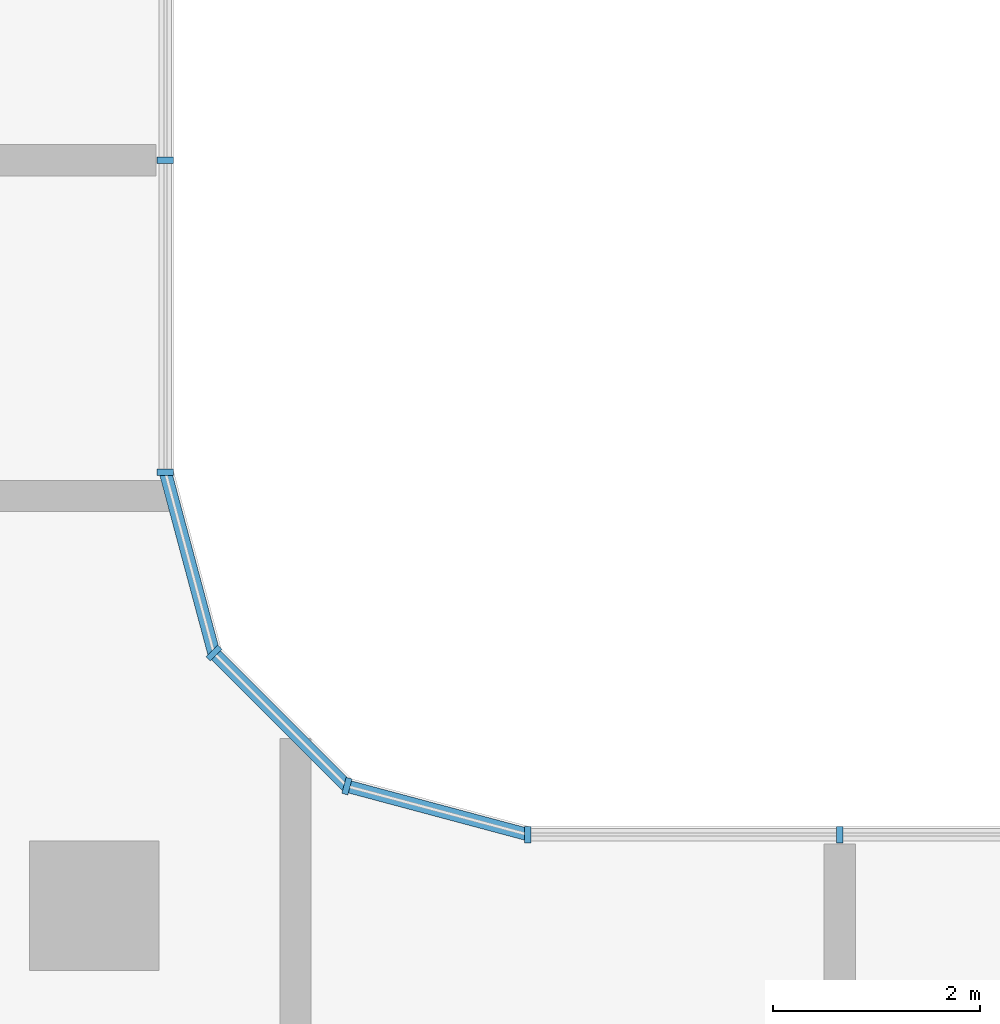
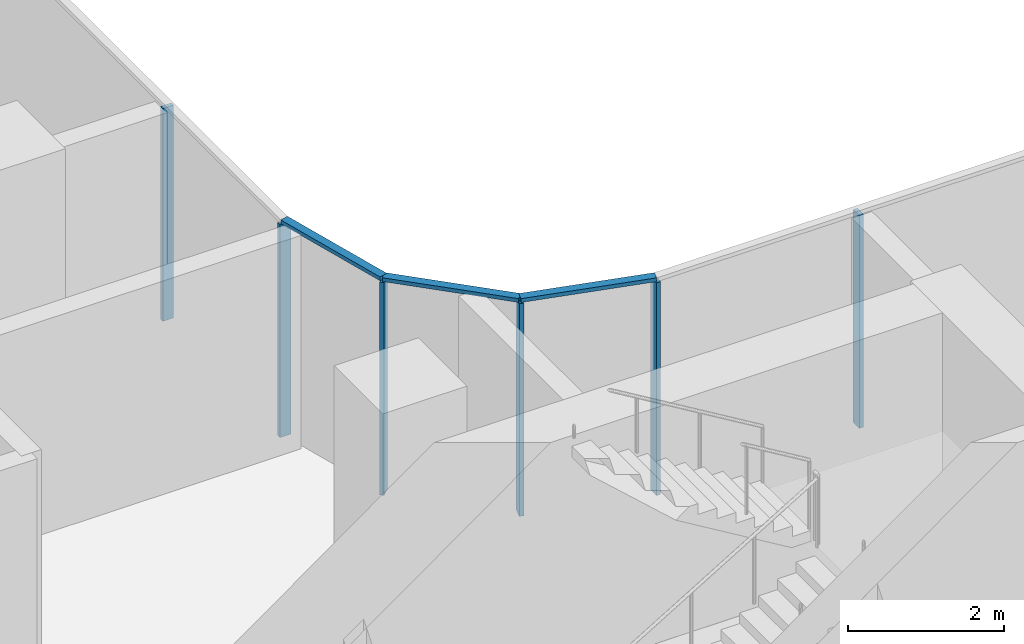
# One storey, part 2 of 23: 9 members, 3 elements without a shape of their own.
"""IFC4 building model written with IfcOpenShell, lengths in metres."""

import ifcopenshell
import ifcopenshell.guid

model = None  # the IFC model being written
_history = None  # IfcOwnerHistory: only IFC2X3 demands one
_inside = {}  # id of a spatial element -> (the spatial element, [elements in it])
_under = {}  # id of a project, library or spatial element -> (it, [spatial elements below it])
_declared = {}  # id of a project -> (the project, [libraries it declares])
_typed = {}  # id of a type object -> (the type object, [elements of that type])
_made_of = {}  # id of a material, layer set ... -> (it, [elements and type objects made of it])


def new_model(schema):
    """Start an empty IFC model of exactly this schema.

    Asked for "IFC4X3", IfcOpenShell would pick the latest addendum, in which some entities
    have other attributes; the version numbers below select the first issue.
    IFC2X3 requires an IfcOwnerHistory on every rooted entity: one is made here for all.
    """
    global model, _history
    if schema == "IFC4X3":
        model = ifcopenshell.file(schema_version=(4, 3, 0, 0))
    else:
        model = ifcopenshell.file(schema=schema)
    _inside.clear()
    _under.clear()
    _declared.clear()
    _typed.clear()
    _made_of.clear()
    _history = None
    if model.schema == "IFC2X3":
        org = make("IfcOrganization", Name="unknown")
        user = make(
            "IfcPersonAndOrganization",
            ThePerson=make("IfcPerson", FamilyName="unknown"),
            TheOrganization=org,
        )
        app = make(
            "IfcApplication",
            ApplicationDeveloper=org,
            Version="unknown",
            ApplicationFullName="unknown",
            ApplicationIdentifier="unknown",
        )
        _history = make(
            "IfcOwnerHistory",
            OwningUser=user,
            OwningApplication=app,
            ChangeAction="ADDED",
            CreationDate=0,
        )
    return model


def make(cls, **values):
    """One entity of the class cls with the attributes given. An attribute that is None is left unset."""
    return model.create_entity(
        cls, **{name: value for name, value in values.items() if value is not None}
    )


def rooted(cls, **values):
    """An entity with a GlobalId (a new one), such as an element, a storey or a relation."""
    return make(cls, GlobalId=ifcopenshell.guid.new(), OwnerHistory=_history, **values)


def si_unit(unit_type, name, prefix=None):
    """IfcSIUnit, for example si_unit("LENGTHUNIT", "METRE", prefix="MILLI")."""
    return make("IfcSIUnit", UnitType=unit_type, Prefix=prefix, Name=name)


def assignment(units):
    """IfcUnitAssignment: the units of a project."""
    return None if units is None else make("IfcUnitAssignment", Units=units)


def point(xyz):
    """IfcCartesianPoint."""
    return None if xyz is None else make("IfcCartesianPoint", Coordinates=xyz)


def direction(xyz):
    """IfcDirection."""
    return None if xyz is None else make("IfcDirection", DirectionRatios=xyz)


def frame(location, z_axis=None, x_axis=None):
    """IfcAxis2Placement3D, a coordinate frame: its origin and axes. An axis left out is left unset."""
    return make(
        "IfcAxis2Placement3D",
        Location=point(location),
        Axis=direction(z_axis),
        RefDirection=direction(x_axis),
    )


def frame_2d(location, x_axis=None):
    """IfcAxis2Placement2D, a coordinate frame in the plane: its origin and x axis."""
    return make(
        "IfcAxis2Placement2D", Location=point(location), RefDirection=direction(x_axis)
    )


def origin():
    """The frame at (0, 0, 0) with its axes left unset."""
    return frame((0.0, 0.0, 0.0))


def origin_2d():
    """The frame at (0, 0) in the plane with its x axis left unset."""
    return frame_2d((0.0, 0.0))


def place(relative_to, where):
    """IfcLocalPlacement: puts the frame where relative to a parent placement (None: the world)."""
    return make(
        "IfcLocalPlacement", PlacementRelTo=relative_to, RelativePlacement=where
    )


def context(
    kind, dimensions, precision=None, world=None, true_north=None, identifier=None
):
    """IfcGeometricRepresentationContext, for example the 3D "Model" context."""
    return make(
        "IfcGeometricRepresentationContext",
        ContextIdentifier=identifier,
        ContextType=kind,
        CoordinateSpaceDimension=dimensions,
        Precision=precision,
        WorldCoordinateSystem=world,
        TrueNorth=true_north,
    )


def subcontext(parent, identifier, kind, view, scale=None):
    """IfcGeometricRepresentationSubContext, for example "Body" below "Model"."""
    return make(
        "IfcGeometricRepresentationSubContext",
        ContextIdentifier=identifier,
        ContextType=kind,
        ParentContext=parent,
        TargetScale=scale,
        TargetView=view,
    )


def project(units=None, contexts=None):
    """IfcProject with its units and contexts."""
    return rooted(
        "IfcProject",
        Name="project",
        RepresentationContexts=contexts,
        UnitsInContext=assignment(units),
    )


def spatial(cls, under=None, at=None, **own):
    """A site, building, storey or space (cls), placed at a placement, below another one or the project."""
    s = rooted(cls, ObjectPlacement=at, **own)
    if under is not None:
        _under.setdefault(under.id(), (under, []))[1].append(s)
    return s


def profile(cls, at=None, kind="AREA", **sizes):
    """A parametric profile (cls). Its sizes go by their IFC names, for example OverallWidth=200.0."""
    return make(cls, ProfileType=kind, Position=at, **sizes)


def rectangle(**sizes):
    """IfcRectangleProfileDef."""
    return profile("IfcRectangleProfileDef", **sizes)


def extrude(swept, where, along, depth):
    """IfcExtrudedAreaSolid: the profile swept, set in the frame where, extruded along a direction by depth."""
    return make(
        "IfcExtrudedAreaSolid",
        SweptArea=swept,
        Position=where,
        ExtrudedDirection=direction(along),
        Depth=depth,
    )


def shape(context_of_items, identifier, shape_type, items):
    """IfcShapeRepresentation: the items that make up one representation, for example the "Body"."""
    return make(
        "IfcShapeRepresentation",
        ContextOfItems=context_of_items,
        RepresentationIdentifier=identifier,
        RepresentationType=shape_type,
        Items=items,
    )


def material(Name=None, Category=None):
    """IfcMaterial."""
    return make("IfcMaterial", Name=Name, Category=Category)


def material_profile(
    of_material, cross_section, Name=None, Category=None, Priority=None
):
    """IfcMaterialProfile: a cross section and its material."""
    return make(
        "IfcMaterialProfile",
        Name=Name,
        Material=of_material,
        Profile=cross_section,
        Priority=Priority,
        Category=Category,
    )


def profile_set(profiles, Name=None, composite=None):
    """IfcMaterialProfileSet."""
    return make(
        "IfcMaterialProfileSet",
        Name=Name,
        MaterialProfiles=profiles,
        CompositeProfile=composite,
    )


def made_of(thing, what):
    """Note that an element or type object is made of a material, layer set ...; save() writes the relation."""
    if what is not None:
        _made_of.setdefault(what.id(), (what, []))[1].append(thing)
    return thing


def type_object(cls, material=None, **own):
    """A type object (cls), such as IfcWallType, which elements share."""
    return made_of(rooted(cls, **own), material)


def element(
    cls,
    number,
    at=None,
    inside=None,
    cuts=None,
    type_object=None,
    material=None,
    context=None,
    identifier="Body",
    shape_type=None,
    held_by="IfcProductDefinitionShape",
    body=None,
    shapes=None,
    **own,
):
    """One element of the class cls, such as IfcWall. Its Tag is "e" and its number.

    at: its placement. inside: the storey or other place that contains it. cuts: it is an
    opening in that element (IfcRelVoidsElement). A single representation is given by context,
    identifier, shape_type and body (its items); several are given by shapes. held_by: the class
    of the entity that holds the representations. save() writes the other relations.
    """
    e = rooted(cls, Tag="e%d" % number, ObjectPlacement=at, **own)
    if body is not None:
        shapes = [shape(context, identifier, shape_type, body)]
    if shapes is not None:
        e.Representation = make(held_by, Representations=shapes)
    if inside is not None:
        _inside.setdefault(inside.id(), (inside, []))[1].append(e)
    if cuts is not None:
        rooted(
            "IfcRelVoidsElement", RelatingBuildingElement=cuts, RelatedOpeningElement=e
        )
    if type_object is not None:
        _typed.setdefault(type_object.id(), (type_object, []))[1].append(e)
    return made_of(e, material)


def aggregate(whole, parts):
    """IfcRelAggregates: a whole, such as a stair, and the parts it consists of."""
    return rooted("IfcRelAggregates", RelatingObject=whole, RelatedObjects=parts)


def save(model, path):
    """Write the relations noted so far, then the file.

    IfcRelAggregates (storeys below a building ...), IfcRelContainedInSpatialStructure (elements
    in a storey), IfcRelDefinesByType, IfcRelAssociatesMaterial and IfcRelDeclares: one each for
    every whole, place, type object, material and project.
    """
    for whole, parts in _under.values():
        aggregate(whole, parts)
    for where, things in _inside.values():
        rooted(
            "IfcRelContainedInSpatialStructure",
            RelatedElements=things,
            RelatingStructure=where,
        )
    for kind, things in _typed.values():
        rooted("IfcRelDefinesByType", RelatedObjects=things, RelatingType=kind)
    for what, things in _made_of.values():
        rooted("IfcRelAssociatesMaterial", RelatedObjects=things, RelatingMaterial=what)
    for by, libraries in _declared.values():
        rooted("IfcRelDeclares", RelatingContext=by, RelatedDefinitions=libraries)
    model.write(path)


model = new_model("IFC4")

# Units and contexts
model_context = context("Model", 3, precision=1e-05, world=origin(), true_north=direction((0.0, 1.0)))
body_context = subcontext(model_context, "Body", "Model", "MODEL_VIEW")
ifc_project = project(units=[si_unit("LENGTHUNIT", "METRE"), si_unit("AREAUNIT", "SQUARE_METRE"), si_unit("VOLUMEUNIT", "CUBIC_METRE"), si_unit("PLANEANGLEUNIT", "RADIAN"), si_unit("MASSUNIT", "GRAM", prefix="KILO")], contexts=[model_context])

# Site, building, storey
site_placement = place(None, origin())
site = spatial("IfcSite", under=ifc_project, at=site_placement, CompositionType="ELEMENT")
building_placement = place(site_placement, origin())
building = spatial("IfcBuilding", under=site, at=building_placement, Name="Ogive Portal Towers", CompositionType="ELEMENT")
storey_placement = place(building_placement, frame((0.0, 0.0, 120.39990234375)))
storey = spatial("IfcBuildingStorey", under=building, at=storey_placement, Name="L29", CompositionType="ELEMENT", Elevation=120.39990234375)

# Curtain wall, members
ifc_material_1 = material(Name="Glass, clear low-iron insulated glazing", Category="glass")
curtain_wall_type = type_object("IfcCurtainWallType", Name="CW FRONT RIBBON 4500", PredefinedType="NOTDEFINED", material=ifc_material_1)
curtain_wall_1_placement = place(storey_placement, origin())
curtain_wall_1 = element("IfcCurtainWall", 1, at=curtain_wall_1_placement, inside=storey, type_object=curtain_wall_type, Name="A:L29:f16:cw0", PredefinedType="NOTDEFINED")
ifc_material_2 = material(Name="Aluminium 6063 anodised", Category="aluminium")
ifc_material_profile_1 = material_profile(ifc_material_2, rectangle(XDim=0.159912109375, YDim=0.06005859375, at=origin_2d()), Name="AL 60x160")
ifc_profile_set_1 = profile_set([ifc_material_profile_1], Name="Aluminium 6063 anodised")
member_type_1 = type_object("IfcMemberType", Name="CW MULLION 60x160", PredefinedType="MULLION", material=ifc_profile_set_1)
member_1_placement = place(storey_placement, frame((58.5, 41.9951171875, 0.0), z_axis=(0.0, 0.0, 1.0), x_axis=(0.0, -1.0, 0.0)))
member_1 = element("IfcMember", 2, at=member_1_placement, type_object=member_type_1, Name="mullion", PredefinedType="MULLION", context=body_context, shape_type="SweptSolid", body=[
    extrude(rectangle(XDim=0.159912109375, YDim=0.06005859375, at=origin_2d()), origin(), (0.0, 0.0, 1.0), 3.340087890625),
])
member_2_placement = place(storey_placement, frame((55.489501953125, 41.9951171875, 0.0), z_axis=(0.0, 0.0, 1.0), x_axis=(0.0, -1.0, 0.0)))
member_2 = element("IfcMember", 3, at=member_2_placement, type_object=member_type_1, Name="mullion", PredefinedType="MULLION", context=body_context, shape_type="SweptSolid", body=[
    extrude(rectangle(XDim=0.159912109375, YDim=0.06005859375, at=origin_2d()), origin(), (0.0, 0.0, 1.0), 3.340087890625),
])
aggregate(curtain_wall_1, [member_1, member_2])

curtain_wall_2_placement = place(storey_placement, origin())
curtain_wall_2 = element("IfcCurtainWall", 4, at=curtain_wall_2_placement, inside=storey, type_object=curtain_wall_type, Name="A:L29:f20:cw0", PredefinedType="NOTDEFINED")
member_3_placement = place(storey_placement, frame((51.9951171875, 45.489501953125, 0.0), z_axis=(0.0, 0.0, 1.0), x_axis=(-1.0, 0.0, 0.0)))
member_3 = element("IfcMember", 5, at=member_3_placement, type_object=member_type_1, Name="mullion", PredefinedType="MULLION", context=body_context, shape_type="SweptSolid", body=[
    extrude(rectangle(XDim=0.159912109375, YDim=0.06005859375, at=origin_2d()), origin(), (0.0, 0.0, 1.0), 3.340087890625),
])
member_4_placement = place(storey_placement, frame((51.9951171875, 48.5, 0.0), z_axis=(0.0, 0.0, 1.0), x_axis=(-1.0, 0.0, 0.0)))
member_4 = element("IfcMember", 6, at=member_4_placement, type_object=member_type_1, Name="mullion", PredefinedType="MULLION", context=body_context, shape_type="SweptSolid", body=[
    extrude(rectangle(XDim=0.159912109375, YDim=0.06005859375, at=origin_2d()), origin(), (0.0, 0.0, 1.0), 3.340087890625),
])
aggregate(curtain_wall_2, [member_3, member_4])

curtain_wall_3_placement = place(storey_placement, origin())
curtain_wall_3 = element("IfcCurtainWall", 7, at=curtain_wall_3_placement, inside=storey, type_object=curtain_wall_type, Name="A:L29:f17:cwa", PredefinedType="NOTDEFINED")
member_5_placement = place(storey_placement, frame((53.74609375, 42.462158203125, 0.0), z_axis=(0.0, 0.0, 1.0), x_axis=(-0.258819045103, -0.965925826289, 0.0)))
member_5 = element("IfcMember", 8, at=member_5_placement, type_object=member_type_1, Name="mullion", PredefinedType="MULLION", context=body_context, shape_type="SweptSolid", body=[
    extrude(rectangle(XDim=0.159912109375, YDim=0.06005859375, at=origin_2d()), origin(), (0.0, 0.0, 1.0), 3.340087890625),
])
member_6_placement = place(storey_placement, frame((52.462158203125, 43.74609375, 0.0), z_axis=(0.0, 0.0, 1.0), x_axis=(-0.707106781187, -0.707106781187, 0.0)))
member_6 = element("IfcMember", 9, at=member_6_placement, type_object=member_type_1, Name="mullion", PredefinedType="MULLION", context=body_context, shape_type="SweptSolid", body=[
    extrude(rectangle(XDim=0.159912109375, YDim=0.06005859375, at=origin_2d()), origin(), (0.0, 0.0, 1.0), 3.340087890625),
])
ifc_material_profile_2 = material_profile(ifc_material_2, rectangle(XDim=0.1201171875, YDim=0.06005859375, at=origin_2d()), Name="AL 120x60")
ifc_profile_set_2 = profile_set([ifc_material_profile_2], Name="Aluminium 6063 anodised")
member_type_2 = type_object("IfcMemberType", Name="CW TRANSOM 60x120", PredefinedType="USERDEFINED", material=ifc_profile_set_2)
member_7_placement = place(storey_placement, frame((55.489501953125, 41.9951171875, 3.3701171875), z_axis=(-0.965940203089, 0.258765384191, 0.0), x_axis=(-0.258765384191, -0.965940203089, 0.0)))
member_7 = element("IfcMember", 10, at=member_7_placement, type_object=member_type_2, Name="transom", ObjectType="TRANSOM", PredefinedType="USERDEFINED", context=body_context, shape_type="SweptSolid", body=[
    extrude(rectangle(XDim=0.1201171875, YDim=0.06005859375, at=origin_2d()), origin(), (0.0, 0.0, 1.0), 1.804931640625),
])
member_8_placement = place(storey_placement, frame((53.74609375, 42.462158203125, 3.3701171875), z_axis=(-0.707106781187, 0.707106781187, 0.0), x_axis=(-0.707106781187, -0.707106781187, 0.0)))
member_8 = element("IfcMember", 11, at=member_8_placement, type_object=member_type_2, Name="transom", ObjectType="TRANSOM", PredefinedType="USERDEFINED", context=body_context, shape_type="SweptSolid", body=[
    extrude(rectangle(XDim=0.1201171875, YDim=0.06005859375, at=origin_2d()), origin(), (0.0, 0.0, 1.0), 1.815673828125),
])
member_9_placement = place(storey_placement, frame((52.462158203125, 43.74609375, 3.3701171875), z_axis=(-0.258765384191, 0.965940203089, 0.0), x_axis=(-0.965940203089, -0.258765384191, 0.0)))
member_9 = element("IfcMember", 12, at=member_9_placement, type_object=member_type_2, Name="transom", ObjectType="TRANSOM", PredefinedType="USERDEFINED", context=body_context, shape_type="SweptSolid", body=[
    extrude(rectangle(XDim=0.1201171875, YDim=0.06005859375, at=origin_2d()), origin(), (0.0, 0.0, 1.0), 1.804931640625),
])
aggregate(curtain_wall_3, [member_7, member_8, member_9, member_5, member_6])

save(model, "model.ifc")
